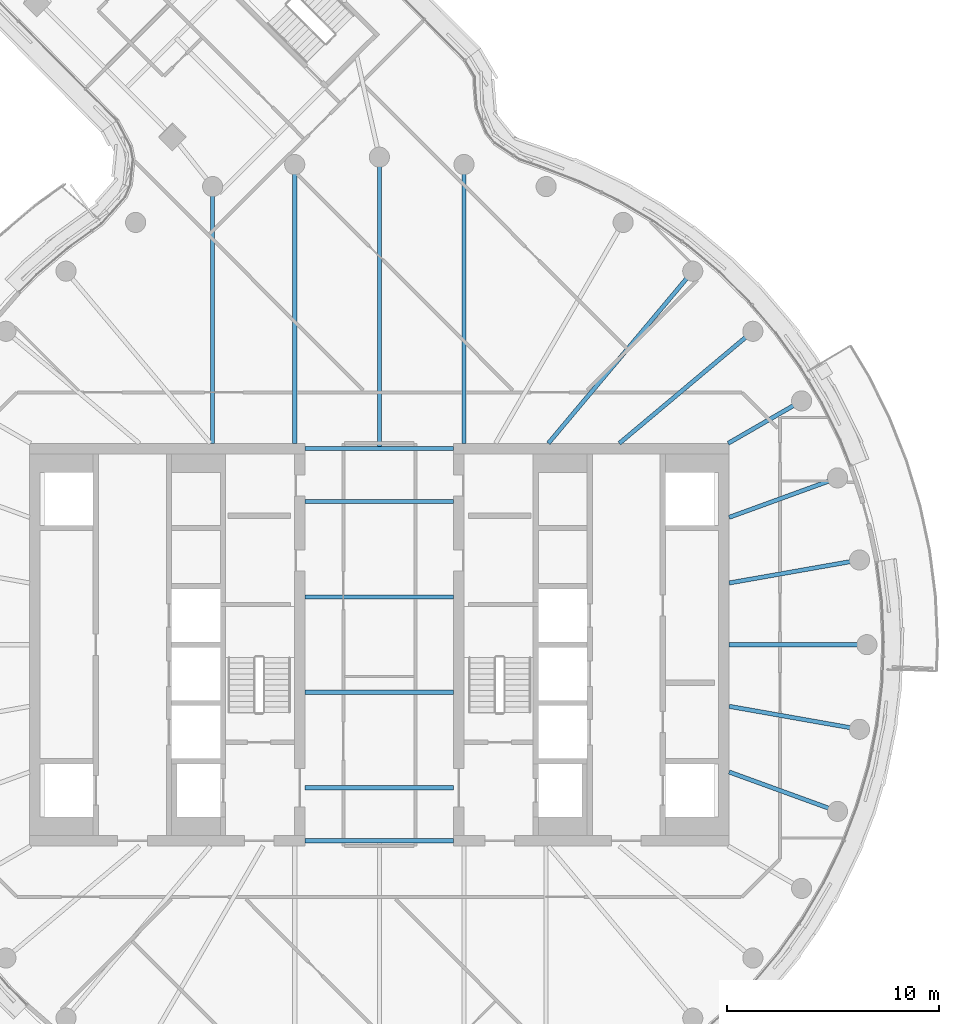
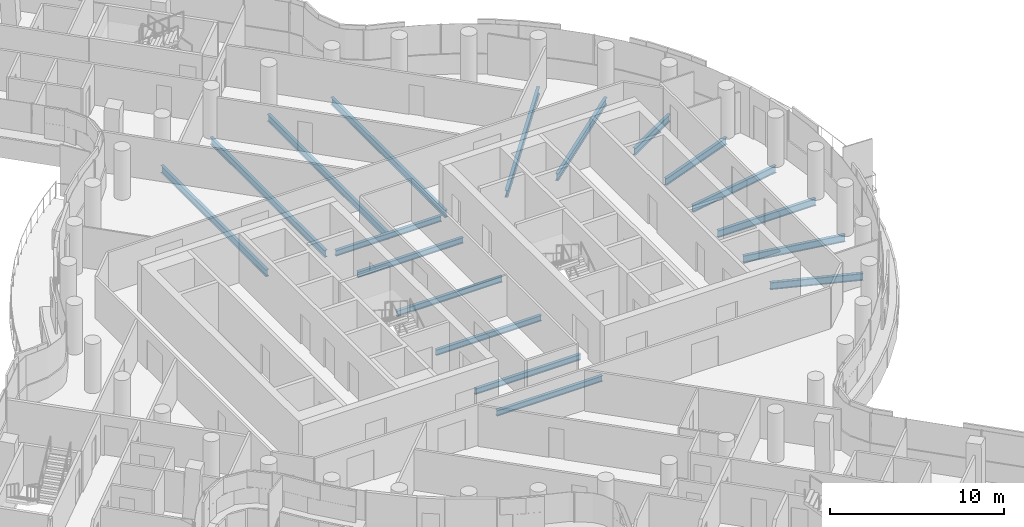
# One storey, part 11 of 31: 18 beams.
"""IFC4 building model written with IfcOpenShell, lengths in metres."""

from ifc_helpers import new_model, si_unit, direction, frame, origin, origin_2d, place, context, subcontext, project, spatial, i_section, extrude, material, material_profile, profile_set, type_object, element, save


model = new_model("IFC4")

# Units and contexts
model_context = context("Model", 3, precision=1e-05, world=origin(), true_north=direction((0.0, 1.0)))
body_context = subcontext(model_context, "Body", "Model", "MODEL_VIEW")
ifc_project = project(units=[si_unit("LENGTHUNIT", "METRE"), si_unit("AREAUNIT", "SQUARE_METRE"), si_unit("VOLUMEUNIT", "CUBIC_METRE"), si_unit("PLANEANGLEUNIT", "RADIAN"), si_unit("MASSUNIT", "GRAM", prefix="KILO")], contexts=[model_context])

# Site, building, storey
site_placement = place(None, origin())
site = spatial("IfcSite", under=ifc_project, at=site_placement, CompositionType="ELEMENT")
building_placement = place(site_placement, origin())
building = spatial("IfcBuilding", under=site, at=building_placement, Name="Tamarind Cross Interchange Tower", CompositionType="ELEMENT")
storey_placement = place(building_placement, frame((0.0, 0.0, 196.89990234375)))
storey = spatial("IfcBuildingStorey", under=building, at=storey_placement, Name="L49", CompositionType="ELEMENT", Elevation=196.89990234375)

# Beams
ifc_material = material(Name="Steel Q355B", Category="steel")
ifc_material_profile_1 = material_profile(ifc_material, i_section(OverallWidth=0.199951171875, OverallDepth=0.39990234375, WebThickness=0.008056640625, FlangeThickness=0.012939453125, FilletRadius=0.01611328125, at=origin_2d()), Name="HN 400x200x8x13")
ifc_profile_set_1 = profile_set([ifc_material_profile_1], Name="Steel Q355B")
beam_type_1 = type_object("IfcBeamType", Name="Composite beam HN 400x200x8x13 Q355B", PredefinedType="BEAM", material=ifc_profile_set_1)
for number, where, z_axis, x_axis, name in (
    (1, (-3.5, -2.25, -0.33984375), (1.0, 0.0, 0.0), (0.0, 1.0, 0.0), "Beam G-2.25"),
    (2, (-3.5, -6.75, -0.33984375), (1.0, 0.0, 0.0), (0.0, 1.0, 0.0), "Beam G-6.75"),
    (3, (-3.5, -9.25, -0.33984375), (1.0, 0.0, 0.0), (0.0, 1.0, 0.0), "Beam G-9.25"),
    (4, (-3.5, 2.25, -0.33984375), (1.0, 0.0, 0.0), (0.0, 1.0, 0.0), "Beam G2.25"),
    (5, (-3.5, 6.75, -0.33984375), (1.0, 0.0, 0.0), (0.0, 1.0, 0.0), "Beam G6.75"),
    (6, (-3.5, 9.25, -0.33984375), (1.0, 0.0, 0.0), (0.0, 1.0, 0.0), "Beam G9.25"),
):
    element("IfcBeam", number, at=place(storey_placement, frame(where, z_axis=z_axis, x_axis=x_axis)), inside=storey, type_object=beam_type_1, Name=name, PredefinedType="BEAM", context=body_context, shape_type="SweptSolid", body=[
        extrude(i_section(OverallWidth=0.199951171875, OverallDepth=0.39990234375, WebThickness=0.008056640625, FlangeThickness=0.012939453125, FilletRadius=0.01611328125, at=origin_2d()), origin(), (0.0, 0.0, 1.0), 7.0),
    ])
ifc_material_profile_2 = material_profile(ifc_material, i_section(OverallWidth=0.198974609375, OverallDepth=0.49609375, WebThickness=0.009033203125, FlangeThickness=0.013916015625, FilletRadius=0.012939453125, at=origin_2d()), Name="HN 496x199x9x14")
ifc_profile_set_2 = profile_set([ifc_material_profile_2], Name="Steel Q355B")
beam_type_2 = type_object("IfcBeamType", Name="Composite beam HN 496x199x9x14 Q355B", PredefinedType="BEAM", material=ifc_profile_set_2)
beam_1_placement = place(storey_placement, frame((23.0, 0.0, -0.387939453125), z_axis=(-1.0, 0.0, 0.0), x_axis=(0.0, -1.0, 0.0)))
element("IfcBeam", 7, at=beam_1_placement, inside=storey, type_object=beam_type_2, Name="Beam HH00", PredefinedType="BEAM", context=body_context, shape_type="SweptSolid", body=[
    extrude(i_section(OverallWidth=0.198974609375, OverallDepth=0.49609375, WebThickness=0.009033203125, FlangeThickness=0.013916015625, FilletRadius=0.012939453125, at=origin_2d()), origin(), (0.0, 0.0, 1.0), 6.5),
])
beam_2_placement = place(storey_placement, frame((22.650634765625, 3.993896484375, -0.387939453125), z_axis=(-0.984809127561, -0.173640382036, 0.0), x_axis=(0.173640382036, -0.984809127561, 0.0)))
element("IfcBeam", 8, at=beam_2_placement, inside=storey, type_object=beam_type_2, Name="Beam HH01", PredefinedType="BEAM", context=body_context, shape_type="SweptSolid", body=[
    extrude(i_section(OverallWidth=0.198974609375, OverallDepth=0.49609375, WebThickness=0.009033203125, FlangeThickness=0.013916015625, FilletRadius=0.012939453125, at=origin_2d()), origin(), (0.0, 0.0, 1.0), 6.24560546875),
])
beam_3_placement = place(storey_placement, frame((21.613037109375, 7.866455078125, -0.387939453125), z_axis=(-0.939701685589, -0.341995236956, 0.0), x_axis=(0.341995236956, -0.939701685589, 0.0)))
element("IfcBeam", 9, at=beam_3_placement, inside=storey, type_object=beam_type_2, Name="Beam HH02", PredefinedType="BEAM", context=body_context, shape_type="SweptSolid", body=[
    extrude(i_section(OverallWidth=0.198974609375, OverallDepth=0.49609375, WebThickness=0.009033203125, FlangeThickness=0.013916015625, FilletRadius=0.012939453125, at=origin_2d()), origin(), (0.0, 0.0, 1.0), 5.441162109375),
])
beam_4_placement = place(storey_placement, frame((19.918701171875, 11.5, -0.387939453125), z_axis=(-0.866026010844, -0.49999894854, 0.0), x_axis=(0.49999894854, -0.866026010844, 0.0)))
element("IfcBeam", 10, at=beam_4_placement, inside=storey, type_object=beam_type_2, Name="Beam HH03", PredefinedType="BEAM", context=body_context, shape_type="SweptSolid", body=[
    extrude(i_section(OverallWidth=0.198974609375, OverallDepth=0.49609375, WebThickness=0.009033203125, FlangeThickness=0.013916015625, FilletRadius=0.012939453125, at=origin_2d()), origin(), (0.0, 0.0, 1.0), 4.0),
])
beam_5_placement = place(storey_placement, frame((17.619140625, 14.7841796875, -0.387939453125), z_axis=(-0.766040580814, -0.642792212574, 0.0), x_axis=(0.642792212574, -0.766040580814, 0.0)))
element("IfcBeam", 11, at=beam_5_placement, inside=storey, type_object=beam_type_2, Name="Beam HH04", PredefinedType="BEAM", context=body_context, shape_type="SweptSolid", body=[
    extrude(i_section(OverallWidth=0.198974609375, OverallDepth=0.49609375, WebThickness=0.009033203125, FlangeThickness=0.013916015625, FilletRadius=0.012939453125, at=origin_2d()), origin(), (0.0, 0.0, 1.0), 8.220703125),
])
beam_6_placement = place(storey_placement, frame((14.7841796875, 17.619140625, -0.387939453125), z_axis=(-0.642786293979, -0.766045547127, 0.0), x_axis=(0.766045547127, -0.642786293979, 0.0)))
element("IfcBeam", 12, at=beam_6_placement, inside=storey, type_object=beam_type_2, Name="Beam HH05", PredefinedType="BEAM", context=body_context, shape_type="SweptSolid", body=[
    extrude(i_section(OverallWidth=0.198974609375, OverallDepth=0.49609375, WebThickness=0.009033203125, FlangeThickness=0.013916015625, FilletRadius=0.012939453125, at=origin_2d()), origin(), (0.0, 0.0, 1.0), 10.598876953125),
])
beam_7_placement = place(storey_placement, frame((3.993896484375, 22.650634765625, -0.387939453125), z_axis=(0.0, -1.0, 0.0), x_axis=(1.0, 0.0, 0.0)))
element("IfcBeam", 13, at=beam_7_placement, inside=storey, type_object=beam_type_2, Name="Beam HH08", PredefinedType="BEAM", context=body_context, shape_type="SweptSolid", body=[
    extrude(i_section(OverallWidth=0.198974609375, OverallDepth=0.49609375, WebThickness=0.009033203125, FlangeThickness=0.013916015625, FilletRadius=0.012939453125, at=origin_2d()), origin(), (0.0, 0.0, 1.0), 13.150634765625),
])
beam_8_placement = place(storey_placement, frame((0.0, 23.0, -0.387939453125), z_axis=(0.0, -1.0, 0.0), x_axis=(1.0, 0.0, 0.0)))
element("IfcBeam", 14, at=beam_8_placement, inside=storey, type_object=beam_type_2, Name="Beam HH09", PredefinedType="BEAM", context=body_context, shape_type="SweptSolid", body=[
    extrude(i_section(OverallWidth=0.198974609375, OverallDepth=0.49609375, WebThickness=0.009033203125, FlangeThickness=0.013916015625, FilletRadius=0.012939453125, at=origin_2d()), origin(), (0.0, 0.0, 1.0), 13.75),
])
beam_9_placement = place(storey_placement, frame((-3.993896484375, 22.650634765625, -0.387939453125), z_axis=(0.0, -1.0, 0.0), x_axis=(1.0, 0.0, 0.0)))
element("IfcBeam", 15, at=beam_9_placement, inside=storey, type_object=beam_type_2, Name="Beam HH10", PredefinedType="BEAM", context=body_context, shape_type="SweptSolid", body=[
    extrude(i_section(OverallWidth=0.198974609375, OverallDepth=0.49609375, WebThickness=0.009033203125, FlangeThickness=0.013916015625, FilletRadius=0.012939453125, at=origin_2d()), origin(), (0.0, 0.0, 1.0), 13.150634765625),
])
beam_10_placement = place(storey_placement, frame((-7.866455078125, 21.613037109375, -0.387939453125), z_axis=(0.0, -1.0, 0.0), x_axis=(1.0, 0.0, 0.0)))
element("IfcBeam", 16, at=beam_10_placement, inside=storey, type_object=beam_type_2, Name="Beam HH11", PredefinedType="BEAM", context=body_context, shape_type="SweptSolid", body=[
    extrude(i_section(OverallWidth=0.198974609375, OverallDepth=0.49609375, WebThickness=0.009033203125, FlangeThickness=0.013916015625, FilletRadius=0.012939453125, at=origin_2d()), origin(), (0.0, 0.0, 1.0), 12.113037109375),
])
beam_11_placement = place(storey_placement, frame((21.613037109375, -7.866455078125, -0.387939453125), z_axis=(-0.939701685589, 0.341995236956, 0.0), x_axis=(-0.341995236956, -0.939701685589, 0.0)))
element("IfcBeam", 17, at=beam_11_placement, inside=storey, type_object=beam_type_2, Name="Beam HH34", PredefinedType="BEAM", context=body_context, shape_type="SweptSolid", body=[
    extrude(i_section(OverallWidth=0.198974609375, OverallDepth=0.49609375, WebThickness=0.009033203125, FlangeThickness=0.013916015625, FilletRadius=0.012939453125, at=origin_2d()), origin(), (0.0, 0.0, 1.0), 5.441162109375),
])
beam_12_placement = place(storey_placement, frame((22.650634765625, -3.993896484375, -0.387939453125), z_axis=(-0.984809127561, 0.173640382036, 0.0), x_axis=(-0.173640382036, -0.984809127561, 0.0)))
element("IfcBeam", 18, at=beam_12_placement, inside=storey, type_object=beam_type_2, Name="Beam HH35", PredefinedType="BEAM", context=body_context, shape_type="SweptSolid", body=[
    extrude(i_section(OverallWidth=0.198974609375, OverallDepth=0.49609375, WebThickness=0.009033203125, FlangeThickness=0.013916015625, FilletRadius=0.012939453125, at=origin_2d()), origin(), (0.0, 0.0, 1.0), 6.24560546875),
])

save(model, "model.ifc")
